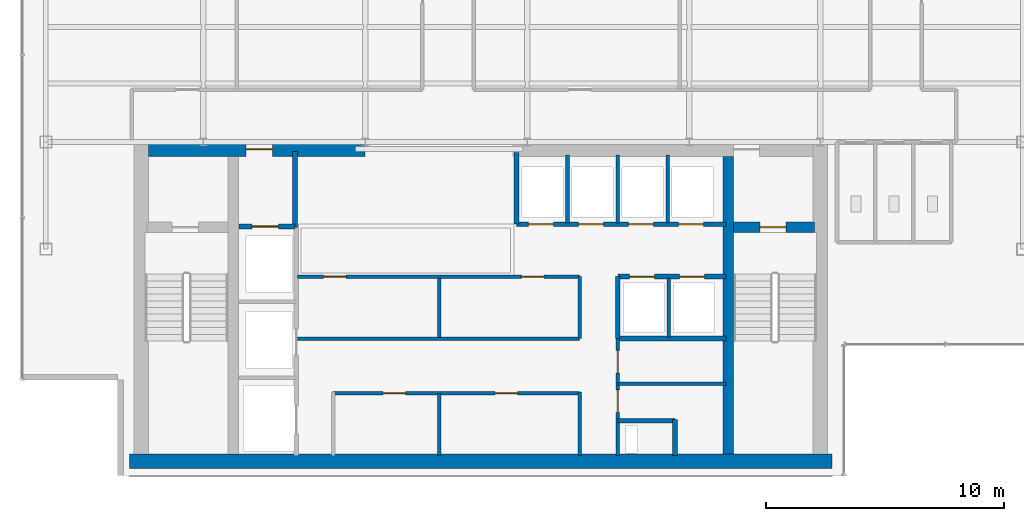
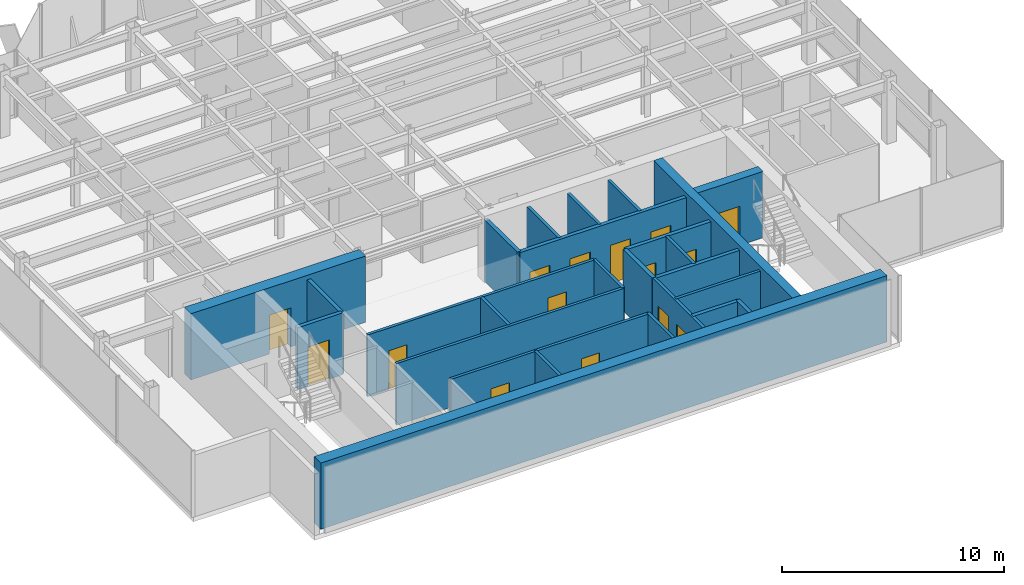
# One storey, part 17 of 22: 26 walls, 15 doors, 15 openings.
"""IFC4 building model written with IfcOpenShell, lengths in metres."""

from ifc_helpers import new_model, si_unit, derived_unit, direction, frame, frame_2d, origin, place, context, subcontext, project, spatial, rectangle, extrude, source, transform, mapped, material, layer, layer_set, type_object, element, fill, save


model = new_model("IFC4")

# Units and contexts
model_context = context("Model", 3, precision=1e-05, world=origin(), true_north=direction((0.0, 1.0)))
body_context = subcontext(model_context, "Body", "Model", "MODEL_VIEW")
ifc_project = project(units=[si_unit("LENGTHUNIT", "METRE"), si_unit("AREAUNIT", "SQUARE_METRE"), si_unit("VOLUMEUNIT", "CUBIC_METRE"), si_unit("PLANEANGLEUNIT", "RADIAN"), si_unit("MASSUNIT", "GRAM", prefix="KILO"), derived_unit("THERMALTRANSMITTANCEUNIT", [(si_unit("POWERUNIT", "WATT"), 1), (si_unit("LENGTHUNIT", "METRE"), -2), (si_unit("THERMODYNAMICTEMPERATUREUNIT", "KELVIN"), -1)])], contexts=[model_context])

# Site, building, storey
site_placement = place(None, origin())
site = spatial("IfcSite", under=ifc_project, at=site_placement, CompositionType="ELEMENT")
building_placement = place(site_placement, origin())
building = spatial("IfcBuilding", under=site, at=building_placement, Name="Skarnbrae Concourse Arena and Tower", CompositionType="ELEMENT")
storey_placement = place(building_placement, frame((0.0, 0.0, 280.699951171875)))
storey = spatial("IfcBuildingStorey", under=building, at=storey_placement, Name="L73", CompositionType="ELEMENT", Elevation=280.699951171875)

# Wall, opening, door
ifc_material_1 = material(Name="Concrete 50 MPa (C50/60)", Category="concrete")
ifc_layer_1 = layer(ifc_material_1, 0.449951171875)
ifc_layer_set_1 = layer_set([ifc_layer_1], Name="Concrete 50 MPa (C50/60)")
wall_type_1 = type_object("IfcWallType", Name="WALL-CORE-450-C50", PredefinedType="SHEAR", material=ifc_layer_set_1)
shared_shape_1 = source(origin(), body_context, "Body", "SweptSolid", [
    extrude(rectangle(XDim=3.389892578125, YDim=0.449951171875, at=frame_2d((1.69482421875, 0.0))), origin(), (0.0, 0.0, 1.0), 3.650146484375),
])
wall_1_placement = place(storey_placement, frame((29.860107421875, 10.419921875, 0.0), z_axis=(0.0, 0.0, 1.0), x_axis=(1.0, 0.0, 0.0)))
wall_1 = element("IfcWall", 1, at=wall_1_placement, inside=storey, type_object=wall_type_1, Name="L73 Rear core shear wall CW-ST2-N", PredefinedType="SHEAR", context=body_context, shape_type="MappedRepresentation", body=[
    mapped(shared_shape_1, transform((0.0, 0.0, 0.0))),
])
opening_1_placement = place(wall_1_placement, frame((1.10009765625, 0.0, 0.0)))
opening_1 = element("IfcOpeningElement", 2, at=opening_1_placement, cuts=wall_1, Name="Opening DT-03", PredefinedType="OPENING", context=body_context, shape_type="SweptSolid", body=[
    extrude(rectangle(XDim=1.10009765625, YDim=2.14990234375, at=frame_2d((0.550048828125, 1.074951171875))), frame((0.0, 0.23486328125, 0.0), z_axis=(0.0, -1.0, 0.0), x_axis=(1.0, 0.0, 0.0)), (0.0, 0.0, 1.0), 0.469970703125),
])
ifc_material_2 = material(Name="Steel CSA G40.21 350W", Category="steel")
door_type_1 = type_object("IfcDoorType", Name="DOOR-FIRE-1100-90M", OperationType="NOTDEFINED", PredefinedType="DOOR", material=ifc_material_2)
shared_shape_2 = source(origin(), body_context, "Body", "SweptSolid", [
    extrude(rectangle(XDim=1.10009765625, YDim=2.14990234375, at=frame_2d((0.550048828125, 1.074951171875))), frame((0.0, 0.02490234375, 0.0), z_axis=(0.0, -1.0, 0.0), x_axis=(1.0, 0.0, 0.0)), (0.0, 0.0, 1.0), 0.050048828125),
])
door_1_placement = place(opening_1_placement, frame((1.10009765625, 0.0, 0.0), z_axis=(0.0, 0.0, 1.0), x_axis=(-1.0, 0.0, 0.0)))
door_1 = element("IfcDoor", 3, at=door_1_placement, inside=storey, type_object=door_type_1, Name="D-2203 Stair ST-2 Door", OperationType="SINGLE_SWING_RIGHT", OverallHeight=2.14990234375, OverallWidth=1.10009765625, PredefinedType="DOOR", context=body_context, shape_type="MappedRepresentation", body=[
    mapped(shared_shape_2, transform((0.0, 0.0, 0.0))),
])
fill(opening_1, door_1)

# Wall
ifc_layer_2 = layer(ifc_material_1, 0.60009765625)
ifc_layer_set_2 = layer_set([ifc_layer_2], Name="Concrete 50 MPa (C50/60)")
wall_type_2 = type_object("IfcWallType", Name="WALL-CORE-600-C50", PredefinedType="SHEAR", material=ifc_layer_set_2)
shared_shape_3 = source(origin(), body_context, "Body", "SweptSolid", [
    extrude(rectangle(XDim=29.5, YDim=0.60009765625, at=frame_2d((14.75, 0.0))), origin(), (0.0, 0.0, 1.0), 3.650146484375),
])
wall_2_placement = place(storey_placement, frame((4.5, 0.60009765625, 0.0), z_axis=(0.0, 0.0, 1.0), x_axis=(1.0, 0.0, 0.0)))
element("IfcWall", 4, at=wall_2_placement, inside=storey, type_object=wall_type_2, Name="L73 Rear core shear wall CW-S", PredefinedType="SHEAR", context=body_context, shape_type="MappedRepresentation", body=[
    mapped(shared_shape_3, transform((0.0, 0.0, 0.0))),
])

# Wall, opening, door
shared_shape_4 = source(origin(), body_context, "Body", "SweptSolid", [
    extrude(rectangle(XDim=9.099853515625, YDim=0.60009765625, at=frame_2d((4.5498046875, 0.0))), origin(), (0.0, 0.0, 1.0), 3.650146484375),
])
wall_3_placement = place(storey_placement, frame((5.300048828125, 13.699951171875, 0.0), z_axis=(0.0, 0.0, 1.0), x_axis=(1.0, 0.0, 0.0)))
wall_3 = element("IfcWall", 5, at=wall_3_placement, inside=storey, type_object=wall_type_2, Name="L73 Rear core shear wall CW-NW", PredefinedType="SHEAR", context=body_context, shape_type="MappedRepresentation", body=[
    mapped(shared_shape_4, transform((0.0, 0.0, 0.0))),
])
opening_2_placement = place(wall_3_placement, frame((4.10009765625, 0.0, 0.0)))
opening_2 = element("IfcOpeningElement", 6, at=opening_2_placement, cuts=wall_3, Name="Opening DT-03", PredefinedType="OPENING", context=body_context, shape_type="SweptSolid", body=[
    extrude(rectangle(XDim=1.10009765625, YDim=2.14990234375, at=frame_2d((0.550048828125, 1.074951171875))), frame((0.0, 0.31005859375, 0.0), z_axis=(0.0, -1.0, 0.0), x_axis=(1.0, 0.0, 0.0)), (0.0, 0.0, 1.0), 0.6201171875),
])
door_2_placement = place(opening_2_placement, origin())
door_2 = element("IfcDoor", 7, at=door_2_placement, inside=storey, type_object=door_type_1, Name="D-2204 Firefighting Lobby Exit Door", OperationType="SINGLE_SWING_RIGHT", OverallHeight=2.14990234375, OverallWidth=1.10009765625, PredefinedType="DOOR", context=body_context, shape_type="MappedRepresentation", body=[
    mapped(shared_shape_2, transform((0.0, 0.0, 0.0))),
])
fill(opening_2, door_2)

# Walls
shared_shape_5 = source(origin(), body_context, "Body", "SweptSolid", [
    extrude(rectangle(XDim=12.5, YDim=0.449951171875, at=frame_2d((6.25, 0.0))), origin(), (0.0, 0.0, 1.0), 3.650146484375),
])
wall_4_placement = place(storey_placement, frame((29.635009765625, 0.89990234375, 0.0), z_axis=(0.0, 0.0, 1.0), x_axis=(0.0, 1.0, 0.0)))
element("IfcWall", 8, at=wall_4_placement, inside=storey, type_object=wall_type_1, Name="L73 Rear core shear wall CW-WEB-E", PredefinedType="SHEAR", context=body_context, shape_type="MappedRepresentation", body=[
    mapped(shared_shape_5, transform((0.0, 0.0, 0.0))),
])
ifc_material_3 = material(Name="Gypsum board on cold-formed steel studs", Category="steel")
ifc_layer_3 = layer(ifc_material_3, 0.199951171875)
ifc_layer_set_3 = layer_set([ifc_layer_3], Name="Gypsum board on cold-formed steel studs")
wall_type_3 = type_object("IfcWallType", Name="WALL-PART-200-2HR", PredefinedType="PARTITIONING", material=ifc_layer_set_3)
shared_shape_6 = source(origin(), body_context, "Body", "SweptSolid", [
    extrude(rectangle(XDim=3.18017578125, YDim=0.199951171875, at=frame_2d((1.590087890625, 0.0))), origin(), (0.0, 0.0, 1.0), 3.400146484375),
])
wall_5_placement = place(storey_placement, frame((11.449951171875, 10.419921875, 0.0), z_axis=(0.0, 0.0, 1.0), x_axis=(0.0, 1.0, 0.0)))
element("IfcWall", 9, at=wall_5_placement, inside=storey, type_object=wall_type_3, Name="L73 Interior partition wall W-L73-FFL-E", PredefinedType="PARTITIONING", context=body_context, shape_type="MappedRepresentation", body=[
    mapped(shared_shape_6, transform((0.0, 0.0, 0.0))),
])

# Wall, opening, door
shared_shape_7 = source(origin(), body_context, "Body", "SweptSolid", [
    extrude(rectangle(XDim=2.349853515625, YDim=0.199951171875, at=frame_2d((1.1748046875, 0.0))), origin(), (0.0, 0.0, 1.0), 3.400146484375),
])
wall_6_placement = place(storey_placement, frame((9.10009765625, 10.449951171875, 0.0), z_axis=(0.0, 0.0, 1.0), x_axis=(1.0, 0.0, 0.0)))
wall_6 = element("IfcWall", 10, at=wall_6_placement, inside=storey, type_object=wall_type_3, Name="L73 Interior partition wall W-L73-FL1-N", PredefinedType="PARTITIONING", context=body_context, shape_type="MappedRepresentation", body=[
    mapped(shared_shape_7, transform((0.0, 0.0, 0.0))),
])
opening_3_placement = place(wall_6_placement, frame((0.550048828125, 0.0, 0.0)))
opening_3 = element("IfcOpeningElement", 11, at=opening_3_placement, cuts=wall_6, Name="Opening LD-01", PredefinedType="OPENING", context=body_context, shape_type="SweptSolid", body=[
    extrude(rectangle(XDim=1.10009765625, YDim=2.14990234375, at=frame_2d((0.550048828125, 1.074951171875))), frame((0.0, 0.10986328125, 0.0), z_axis=(0.0, -1.0, 0.0), x_axis=(1.0, 0.0, 0.0)), (0.0, 0.0, 1.0), 0.219970703125),
])
door_type_2 = type_object("IfcDoorType", Name="DOOR-LIFT-SLIDE-1100", OperationType="SLIDING_TO_LEFT", PredefinedType="DOOR", material=ifc_material_2)
door_3_placement = place(opening_3_placement, origin())
door_3 = element("IfcDoor", 12, at=door_3_placement, inside=storey, type_object=door_type_2, Name="D-2206 Firefighting Lift Landing Door FL-01", OperationType="SLIDING_TO_LEFT", OverallHeight=2.14990234375, OverallWidth=1.10009765625, PredefinedType="DOOR", context=body_context, shape_type="MappedRepresentation", body=[
    mapped(shared_shape_2, transform((0.0, 0.0, 0.0))),
])
fill(opening_3, door_3)

# Walls
ifc_layer_4 = layer(ifc_material_3, 0.14990234375)
ifc_layer_set_4 = layer_set([ifc_layer_4], Name="Gypsum board on cold-formed steel studs")
wall_type_4 = type_object("IfcWallType", Name="WALL-PART-150", PredefinedType="PARTITIONING", material=ifc_layer_set_4)
shared_shape_8 = source(origin(), body_context, "Body", "SweptSolid", [
    extrude(rectangle(XDim=2.599853515625, YDim=0.14990234375, at=frame_2d((1.2998046875, 0.0))), origin(), (0.0, 0.0, 1.0), 3.400146484375),
])
wall_7_placement = place(storey_placement, frame((17.5, 0.85009765625, 0.0), z_axis=(0.0, 0.0, 1.0), x_axis=(0.0, 1.0, 0.0)))
element("IfcWall", 13, at=wall_7_placement, inside=storey, type_object=wall_type_4, Name="L73 Interior partition wall W-L73-B1M-C1", PredefinedType="PARTITIONING", context=body_context, shape_type="MappedRepresentation", body=[
    mapped(shared_shape_8, transform((0.0, 0.0, 0.0))),
])
shared_shape_9 = source(origin(), body_context, "Body", "SweptSolid", [
    extrude(rectangle(XDim=2.60009765625, YDim=0.199951171875, at=frame_2d((1.300048828125, 0.0))), origin(), (0.0, 0.0, 1.0), 3.400146484375),
])
wall_8_placement = place(storey_placement, frame((25.0, 5.75, 0.0), z_axis=(0.0, 0.0, 1.0), x_axis=(0.0, 1.0, 0.0)))
element("IfcWall", 14, at=wall_8_placement, inside=storey, type_object=wall_type_3, Name="L73 Interior partition wall W-L73-B3S-W", PredefinedType="PARTITIONING", context=body_context, shape_type="MappedRepresentation", body=[
    mapped(shared_shape_9, transform((0.0, 0.0, 0.0))),
])
shared_shape_10 = source(origin(), body_context, "Body", "SweptSolid", [
    extrude(rectangle(XDim=2.5, YDim=0.14990234375, at=frame_2d((1.25, 0.0))), origin(), (0.0, 0.0, 1.0), 3.400146484375),
])
for number, where, z_axis, x_axis, name in (
    (15, (17.5, 5.800048828125, 0.0), (0.0, 0.0, 1.0), (0.0, 1.0, 0.0), "L73 Interior partition wall W-L73-B2M-MID"),
    (16, (27.139892578125, 5.800048828125, 0.0), (0.0, 0.0, 1.0), (0.0, 1.0, 0.0), "L73 Interior partition wall W-L73-B3S-P1"),
):
    element("IfcWall", number, at=place(storey_placement, frame(where, z_axis=z_axis, x_axis=x_axis)), inside=storey, type_object=wall_type_4, Name=name, PredefinedType="PARTITIONING", context=body_context, shape_type="MappedRepresentation", body=[
        mapped(shared_shape_10, transform((0.0, 0.0, 0.0))),
    ])

# Wall, openings, doors
shared_shape_11 = source(origin(), body_context, "Body", "SweptSolid", [
    extrude(rectangle(XDim=8.800048828125, YDim=0.199951171875, at=frame_2d((4.39990234375, 0.0))), origin(), (0.0, 0.0, 1.0), 3.400146484375),
])
wall_9_placement = place(storey_placement, frame((20.75, 10.550048828125, 0.0), z_axis=(0.0, 0.0, 1.0), x_axis=(1.0, 0.0, 0.0)))
wall_9 = element("IfcWall", 17, at=wall_9_placement, inside=storey, type_object=wall_type_3, Name="L73 Interior partition wall W-L73-B3N-S", PredefinedType="PARTITIONING", context=body_context, shape_type="MappedRepresentation", body=[
    mapped(shared_shape_11, transform((0.0, 0.0, 0.0))),
])
opening_4_placement = place(wall_9_placement, frame((0.5, 0.0, 0.0)))
opening_4 = element("IfcOpeningElement", 18, at=opening_4_placement, cuts=wall_9, Name="Opening LD-04", PredefinedType="OPENING", context=body_context, shape_type="SweptSolid", body=[
    extrude(rectangle(XDim=1.050048828125, YDim=2.14990234375, at=frame_2d((0.52490234375, 1.074951171875))), frame((0.0, 0.10986328125, 0.0), z_axis=(0.0, -1.0, 0.0), x_axis=(1.0, 0.0, 0.0)), (0.0, 0.0, 1.0), 0.219970703125),
])
opening_5_placement = place(wall_9_placement, frame((2.60009765625, 0.0, 0.0)))
opening_5 = element("IfcOpeningElement", 19, at=opening_5_placement, cuts=wall_9, Name="Opening LD-04", PredefinedType="OPENING", context=body_context, shape_type="SweptSolid", body=[
    extrude(rectangle(XDim=1.050048828125, YDim=2.14990234375, at=frame_2d((0.52490234375, 1.074951171875))), frame((0.0, 0.10986328125, 0.0), z_axis=(0.0, -1.0, 0.0), x_axis=(1.0, 0.0, 0.0)), (0.0, 0.0, 1.0), 0.219970703125),
])
opening_6_placement = place(wall_9_placement, frame((4.699951171875, 0.0, 0.0)))
opening_6 = element("IfcOpeningElement", 20, at=opening_6_placement, cuts=wall_9, Name="Opening LD-04", PredefinedType="OPENING", context=body_context, shape_type="SweptSolid", body=[
    extrude(rectangle(XDim=1.050048828125, YDim=2.14990234375, at=frame_2d((0.52490234375, 1.074951171875))), frame((0.0, 0.10986328125, 0.0), z_axis=(0.0, -1.0, 0.0), x_axis=(1.0, 0.0, 0.0)), (0.0, 0.0, 1.0), 0.219970703125),
])
opening_7_placement = place(wall_9_placement, frame((6.800048828125, 0.0, 0.0)))
opening_7 = element("IfcOpeningElement", 21, at=opening_7_placement, cuts=wall_9, Name="Opening LD-04", PredefinedType="OPENING", context=body_context, shape_type="SweptSolid", body=[
    extrude(rectangle(XDim=1.050048828125, YDim=2.14990234375, at=frame_2d((0.52490234375, 1.074951171875))), frame((0.0, 0.10986328125, 0.0), z_axis=(0.0, -1.0, 0.0), x_axis=(1.0, 0.0, 0.0)), (0.0, 0.0, 1.0), 0.219970703125),
])
ifc_material_4 = material(Name="Bronze anodised aluminium 6063-T6", Category="aluminium")
door_type_3 = type_object("IfcDoorType", Name="DOOR-LIFT-SLIDE-1050H", OperationType="SLIDING_TO_LEFT", PredefinedType="DOOR", material=ifc_material_4)
shared_shape_12 = source(origin(), body_context, "Body", "SweptSolid", [
    extrude(rectangle(XDim=1.050048828125, YDim=2.14990234375, at=frame_2d((0.52490234375, 1.074951171875))), frame((0.0, 0.02490234375, 0.0), z_axis=(0.0, -1.0, 0.0), x_axis=(1.0, 0.0, 0.0)), (0.0, 0.0, 1.0), 0.050048828125),
])
door_4_placement = place(opening_4_placement, frame((1.050048828125, 0.0, 0.0), z_axis=(0.0, 0.0, 1.0), x_axis=(-1.0, 0.0, 0.0)))
door_4 = element("IfcDoor", 22, at=door_4_placement, inside=storey, type_object=door_type_3, Name="D-2213 Passenger Lift Landing Door PL-3A", OperationType="SLIDING_TO_LEFT", OverallHeight=2.14990234375, OverallWidth=1.050048828125, PredefinedType="DOOR", context=body_context, shape_type="MappedRepresentation", body=[
    mapped(shared_shape_12, transform((0.0, 0.0, 0.0))),
])
fill(opening_4, door_4)
door_5_placement = place(opening_5_placement, frame((1.050048828125, 0.0, 0.0), z_axis=(0.0, 0.0, 1.0), x_axis=(-1.0, 0.0, 0.0)))
door_5 = element("IfcDoor", 23, at=door_5_placement, inside=storey, type_object=door_type_3, Name="D-2214 Passenger Lift Landing Door PL-3B", OperationType="SLIDING_TO_LEFT", OverallHeight=2.14990234375, OverallWidth=1.050048828125, PredefinedType="DOOR", context=body_context, shape_type="MappedRepresentation", body=[
    mapped(shared_shape_12, transform((0.0, 0.0, 0.0))),
])
fill(opening_5, door_5)
door_6_placement = place(opening_6_placement, frame((1.050048828125, 0.0, 0.0), z_axis=(0.0, 0.0, 1.0), x_axis=(-1.0, 0.0, 0.0)))
door_6 = element("IfcDoor", 24, at=door_6_placement, inside=storey, type_object=door_type_3, Name="D-2215 Passenger Lift Landing Door PL-3C", OperationType="SLIDING_TO_LEFT", OverallHeight=2.14990234375, OverallWidth=1.050048828125, PredefinedType="DOOR", context=body_context, shape_type="MappedRepresentation", body=[
    mapped(shared_shape_12, transform((0.0, 0.0, 0.0))),
])
fill(opening_6, door_6)
door_7_placement = place(opening_7_placement, frame((1.050048828125, 0.0, 0.0), z_axis=(0.0, 0.0, 1.0), x_axis=(-1.0, 0.0, 0.0)))
door_7 = element("IfcDoor", 25, at=door_7_placement, inside=storey, type_object=door_type_3, Name="D-2216 Passenger Lift Landing Door PL-3D", OperationType="SLIDING_TO_LEFT", OverallHeight=2.14990234375, OverallWidth=1.050048828125, PredefinedType="DOOR", context=body_context, shape_type="MappedRepresentation", body=[
    mapped(shared_shape_12, transform((0.0, 0.0, 0.0))),
])
fill(opening_7, door_7)

# Walls
shared_shape_13 = source(origin(), body_context, "Body", "SweptSolid", [
    extrude(rectangle(XDim=3.0, YDim=0.199951171875, at=frame_2d((1.5, 0.0))), origin(), (0.0, 0.0, 1.0), 3.400146484375),
])
wall_10_placement = place(storey_placement, frame((20.75, 10.550048828125, 0.0), z_axis=(0.0, 0.0, 1.0), x_axis=(0.0, 1.0, 0.0)))
element("IfcWall", 26, at=wall_10_placement, inside=storey, type_object=wall_type_3, Name="L73 Interior partition wall W-L73-B3N-W", PredefinedType="PARTITIONING", context=body_context, shape_type="MappedRepresentation", body=[
    mapped(shared_shape_13, transform((0.0, 0.0, 0.0))),
])
shared_shape_14 = source(origin(), body_context, "Body", "SweptSolid", [
    extrude(rectangle(XDim=2.849853515625, YDim=0.14990234375, at=frame_2d((1.4248046875, 0.0))), origin(), (0.0, 0.0, 1.0), 3.400146484375),
])
for number, where, z_axis, x_axis, name in (
    (27, (22.889892578125, 10.60009765625, 0.0), (0.0, 0.0, 1.0), (0.0, 1.0, 0.0), "L73 Interior partition wall W-L73-B3N-P1"),
    (28, (24.989990234375, 10.60009765625, 0.0), (0.0, 0.0, 1.0), (0.0, 1.0, 0.0), "L73 Interior partition wall W-L73-B3N-P2"),
    (29, (27.090087890625, 10.60009765625, 0.0), (0.0, 0.0, 1.0), (0.0, 1.0, 0.0), "L73 Interior partition wall W-L73-B3N-P3"),
):
    element("IfcWall", number, at=place(storey_placement, frame(where, z_axis=z_axis, x_axis=x_axis)), inside=storey, type_object=wall_type_4, Name=name, PredefinedType="PARTITIONING", context=body_context, shape_type="MappedRepresentation", body=[
        mapped(shared_shape_14, transform((0.0, 0.0, 0.0))),
    ])

# Wall, openings, doors
shared_shape_15 = source(origin(), body_context, "Body", "SweptSolid", [
    extrude(rectangle(XDim=4.550048828125, YDim=0.199951171875, at=frame_2d((2.27490234375, 0.0))), origin(), (0.0, 0.0, 1.0), 3.400146484375),
])
wall_11_placement = place(storey_placement, frame((25.0, 8.35009765625, 0.0), z_axis=(0.0, 0.0, 1.0), x_axis=(1.0, 0.0, 0.0)))
wall_11 = element("IfcWall", 30, at=wall_11_placement, inside=storey, type_object=wall_type_3, Name="L73 Interior partition wall W-L73-B3S-N", PredefinedType="PARTITIONING", context=body_context, shape_type="MappedRepresentation", body=[
    mapped(shared_shape_15, transform((0.0, 0.0, 0.0))),
])
opening_8_placement = place(wall_11_placement, frame((0.5, 0.0, 0.0)))
opening_8 = element("IfcOpeningElement", 31, at=opening_8_placement, cuts=wall_11, Name="Opening LD-04", PredefinedType="OPENING", context=body_context, shape_type="SweptSolid", body=[
    extrude(rectangle(XDim=1.050048828125, YDim=2.14990234375, at=frame_2d((0.52490234375, 1.074951171875))), frame((0.0, 0.10986328125, 0.0), z_axis=(0.0, -1.0, 0.0), x_axis=(1.0, 0.0, 0.0)), (0.0, 0.0, 1.0), 0.219970703125),
])
opening_9_placement = place(wall_11_placement, frame((2.60009765625, 0.0, 0.0)))
opening_9 = element("IfcOpeningElement", 32, at=opening_9_placement, cuts=wall_11, Name="Opening LD-04", PredefinedType="OPENING", context=body_context, shape_type="SweptSolid", body=[
    extrude(rectangle(XDim=1.050048828125, YDim=2.14990234375, at=frame_2d((0.52490234375, 1.074951171875))), frame((0.0, 0.10986328125, 0.0), z_axis=(0.0, -1.0, 0.0), x_axis=(1.0, 0.0, 0.0)), (0.0, 0.0, 1.0), 0.219970703125),
])
door_8_placement = place(opening_8_placement, origin())
door_8 = element("IfcDoor", 33, at=door_8_placement, inside=storey, type_object=door_type_3, Name="D-2217 Passenger Lift Landing Door PL-3E", OperationType="SLIDING_TO_LEFT", OverallHeight=2.14990234375, OverallWidth=1.050048828125, PredefinedType="DOOR", context=body_context, shape_type="MappedRepresentation", body=[
    mapped(shared_shape_12, transform((0.0, 0.0, 0.0))),
])
fill(opening_8, door_8)
door_9_placement = place(opening_9_placement, origin())
door_9 = element("IfcDoor", 34, at=door_9_placement, inside=storey, type_object=door_type_3, Name="D-2218 Passenger Lift Landing Door PL-3F", OperationType="SLIDING_TO_LEFT", OverallHeight=2.14990234375, OverallWidth=1.050048828125, PredefinedType="DOOR", context=body_context, shape_type="MappedRepresentation", body=[
    mapped(shared_shape_12, transform((0.0, 0.0, 0.0))),
])
fill(opening_9, door_9)

# Wall
wall_12_placement = place(storey_placement, frame((25.0, 5.75, 0.0), z_axis=(0.0, 0.0, 1.0), x_axis=(1.0, 0.0, 0.0)))
element("IfcWall", 35, at=wall_12_placement, inside=storey, type_object=wall_type_3, Name="L73 Interior partition wall W-L73-B3S-S", PredefinedType="PARTITIONING", context=body_context, shape_type="MappedRepresentation", body=[
    mapped(shared_shape_15, transform((0.0, 0.0, 0.0))),
])

# Wall, openings, doors
ifc_layer_5 = layer(ifc_material_3, 0.14990234375)
ifc_layer_set_5 = layer_set([ifc_layer_5], Name="Gypsum board on cold-formed steel studs")
wall_type_5 = type_object("IfcWallType", Name="WALL-PART-150-1HR", PredefinedType="PARTITIONING", material=ifc_layer_set_5)
shared_shape_16 = source(origin(), body_context, "Body", "SweptSolid", [
    extrude(rectangle(XDim=4.89990234375, YDim=0.14990234375, at=frame_2d((2.449951171875, 0.0))), origin(), (0.0, 0.0, 1.0), 3.400146484375),
])
wall_13_placement = place(storey_placement, frame((25.0, 0.85009765625, 0.0), z_axis=(0.0, 0.0, 1.0), x_axis=(0.0, 1.0, 0.0)))
wall_13 = element("IfcWall", 36, at=wall_13_placement, inside=storey, type_object=wall_type_5, Name="L73 Interior partition wall W-L73-CSV-W", PredefinedType="PARTITIONING", context=body_context, shape_type="MappedRepresentation", body=[
    mapped(shared_shape_16, transform((0.0, 0.0, 0.0))),
])
opening_10_placement = place(wall_13_placement, frame((1.800048828125, 0.0, 0.0)))
opening_10 = element("IfcOpeningElement", 37, at=opening_10_placement, cuts=wall_13, Name="Opening DT-04", PredefinedType="OPENING", context=body_context, shape_type="SweptSolid", body=[
    extrude(rectangle(XDim=0.949951171875, YDim=2.14990234375, at=frame_2d((0.47509765625, 1.074951171875))), frame((0.0, 0.0849609375, 0.0), z_axis=(0.0, -1.0, 0.0), x_axis=(1.0, 0.0, 0.0)), (0.0, 0.0, 1.0), 0.169921875),
])
opening_11_placement = place(wall_13_placement, frame((3.449951171875, 0.0, 0.0)))
opening_11 = element("IfcOpeningElement", 38, at=opening_11_placement, cuts=wall_13, Name="Opening DT-04", PredefinedType="OPENING", context=body_context, shape_type="SweptSolid", body=[
    extrude(rectangle(XDim=0.949951171875, YDim=2.14990234375, at=frame_2d((0.47509765625, 1.074951171875))), frame((0.0, 0.0849609375, 0.0), z_axis=(0.0, -1.0, 0.0), x_axis=(1.0, 0.0, 0.0)), (0.0, 0.0, 1.0), 0.169921875),
])
door_type_4 = type_object("IfcDoorType", Name="DOOR-INT-950-45M", OperationType="NOTDEFINED", PredefinedType="DOOR", material=ifc_material_2)
shared_shape_17 = source(origin(), body_context, "Body", "SweptSolid", [
    extrude(rectangle(XDim=0.949951171875, YDim=2.14990234375, at=frame_2d((0.47509765625, 1.074951171875))), frame((0.0, 0.02490234375, 0.0), z_axis=(0.0, -1.0, 0.0), x_axis=(1.0, 0.0, 0.0)), (0.0, 0.0, 1.0), 0.050048828125),
])
door_10_placement = place(opening_10_placement, origin())
door_10 = element("IfcDoor", 39, at=door_10_placement, inside=storey, type_object=door_type_4, Name="D-2219 Electrical Switch Room Door", OperationType="SINGLE_SWING_LEFT", OverallHeight=2.14990234375, OverallWidth=0.949951171875, PredefinedType="DOOR", context=body_context, shape_type="MappedRepresentation", body=[
    mapped(shared_shape_17, transform((0.0, 0.0, 0.0))),
])
fill(opening_10, door_10)
door_11_placement = place(opening_11_placement, origin())
door_11 = element("IfcDoor", 40, at=door_11_placement, inside=storey, type_object=door_type_4, Name="D-2220 Cleaner Store Door", OperationType="SINGLE_SWING_RIGHT", OverallHeight=2.14990234375, OverallWidth=0.949951171875, PredefinedType="DOOR", context=body_context, shape_type="MappedRepresentation", body=[
    mapped(shared_shape_17, transform((0.0, 0.0, 0.0))),
])
fill(opening_11, door_11)

# Walls
shared_shape_18 = source(origin(), body_context, "Body", "SweptSolid", [
    extrude(rectangle(XDim=2.39990234375, YDim=0.199951171875, at=frame_2d((1.199951171875, 0.0))), origin(), (0.0, 0.0, 1.0), 3.400146484375),
])
wall_14_placement = place(storey_placement, frame((25.0, 2.300048828125, 0.0), z_axis=(0.0, 0.0, 1.0), x_axis=(1.0, 0.0, 0.0)))
element("IfcWall", 41, at=wall_14_placement, inside=storey, type_object=wall_type_3, Name="L73 Interior partition wall W-L73-MEP-N", PredefinedType="PARTITIONING", context=body_context, shape_type="MappedRepresentation", body=[
    mapped(shared_shape_18, transform((0.0, 0.0, 0.0))),
])
shared_shape_19 = source(origin(), body_context, "Body", "SweptSolid", [
    extrude(rectangle(XDim=1.5, YDim=0.199951171875, at=frame_2d((0.75, 0.0))), origin(), (0.0, 0.0, 1.0), 3.400146484375),
])
wall_15_placement = place(storey_placement, frame((27.39990234375, 0.85009765625, 0.0), z_axis=(0.0, 0.0, 1.0), x_axis=(0.0, 1.0, 0.0)))
element("IfcWall", 42, at=wall_15_placement, inside=storey, type_object=wall_type_3, Name="L73 Interior partition wall W-L73-MEP-E", PredefinedType="PARTITIONING", context=body_context, shape_type="MappedRepresentation", body=[
    mapped(shared_shape_19, transform((0.0, 0.0, 0.0))),
])
shared_shape_20 = source(origin(), body_context, "Body", "SweptSolid", [
    extrude(rectangle(XDim=4.550048828125, YDim=0.14990234375, at=frame_2d((2.27490234375, 0.0))), origin(), (0.0, 0.0, 1.0), 3.400146484375),
])
wall_16_placement = place(storey_placement, frame((25.0, 3.85009765625, 0.0), z_axis=(0.0, 0.0, 1.0), x_axis=(1.0, 0.0, 0.0)))
element("IfcWall", 43, at=wall_16_placement, inside=storey, type_object=wall_type_4, Name="L73 Interior partition wall W-L73-CSV-H", PredefinedType="PARTITIONING", context=body_context, shape_type="MappedRepresentation", body=[
    mapped(shared_shape_20, transform((0.0, 0.0, 0.0))),
])
shared_shape_21 = source(origin(), body_context, "Body", "SweptSolid", [
    extrude(rectangle(XDim=2.64990234375, YDim=0.14990234375, at=frame_2d((1.324951171875, 0.0))), origin(), (0.0, 0.0, 1.0), 3.400146484375),
])
wall_17_placement = place(storey_placement, frame((23.39990234375, 0.85009765625, 0.0), z_axis=(0.0, 0.0, 1.0), x_axis=(0.0, 1.0, 0.0)))
element("IfcWall", 44, at=wall_17_placement, inside=storey, type_object=wall_type_5, Name="L73 Interior partition wall W-L73-B1M-E", PredefinedType="PARTITIONING", context=body_context, shape_type="MappedRepresentation", body=[
    mapped(shared_shape_21, transform((0.0, 0.0, 0.0))),
])

# Wall, openings, doors
shared_shape_22 = source(origin(), body_context, "Body", "SweptSolid", [
    extrude(rectangle(XDim=10.349853515625, YDim=0.14990234375, at=frame_2d((5.1748046875, 0.0))), origin(), (0.0, 0.0, 1.0), 3.400146484375),
])
wall_18_placement = place(storey_placement, frame((13.050048828125, 3.449951171875, 0.0), z_axis=(0.0, 0.0, 1.0), x_axis=(1.0, 0.0, 0.0)))
wall_18 = element("IfcWall", 45, at=wall_18_placement, inside=storey, type_object=wall_type_5, Name="L73 Interior partition wall W-L73-B1M-N", PredefinedType="PARTITIONING", context=body_context, shape_type="MappedRepresentation", body=[
    mapped(shared_shape_22, transform((0.0, 0.0, 0.0))),
])
opening_12_placement = place(wall_18_placement, frame((2.10009765625, 0.0, 0.0)))
opening_12 = element("IfcOpeningElement", 46, at=opening_12_placement, cuts=wall_18, Name="Opening DT-04", PredefinedType="OPENING", context=body_context, shape_type="SweptSolid", body=[
    extrude(rectangle(XDim=0.949951171875, YDim=2.14990234375, at=frame_2d((0.47509765625, 1.074951171875))), frame((0.0, 0.0849609375, 0.0), z_axis=(0.0, -1.0, 0.0), x_axis=(1.0, 0.0, 0.0)), (0.0, 0.0, 1.0), 0.169921875),
])
opening_13_placement = place(wall_18_placement, frame((6.800048828125, 0.0, 0.0)))
opening_13 = element("IfcOpeningElement", 47, at=opening_13_placement, cuts=wall_18, Name="Opening DT-04", PredefinedType="OPENING", context=body_context, shape_type="SweptSolid", body=[
    extrude(rectangle(XDim=0.949951171875, YDim=2.14990234375, at=frame_2d((0.47509765625, 1.074951171875))), frame((0.0, 0.0849609375, 0.0), z_axis=(0.0, -1.0, 0.0), x_axis=(1.0, 0.0, 0.0)), (0.0, 0.0, 1.0), 0.169921875),
])
door_12_placement = place(opening_12_placement, origin())
door_12 = element("IfcDoor", 48, at=door_12_placement, inside=storey, type_object=door_type_4, Name="D-2209 Core IT Room Door", OperationType="SINGLE_SWING_LEFT", OverallHeight=2.14990234375, OverallWidth=0.949951171875, PredefinedType="DOOR", context=body_context, shape_type="MappedRepresentation", body=[
    mapped(shared_shape_17, transform((0.0, 0.0, 0.0))),
])
fill(opening_12, door_12)
door_13_placement = place(opening_13_placement, origin())
door_13 = element("IfcDoor", 49, at=door_13_placement, inside=storey, type_object=door_type_4, Name="D-2210 Core Records Store Door", OperationType="SINGLE_SWING_RIGHT", OverallHeight=2.14990234375, OverallWidth=0.949951171875, PredefinedType="DOOR", context=body_context, shape_type="MappedRepresentation", body=[
    mapped(shared_shape_17, transform((0.0, 0.0, 0.0))),
])
fill(opening_13, door_13)

# Wall
shared_shape_23 = source(origin(), body_context, "Body", "SweptSolid", [
    extrude(rectangle(XDim=11.849853515625, YDim=0.14990234375, at=frame_2d((5.9248046875, 0.0))), origin(), (0.0, 0.0, 1.0), 3.400146484375),
])
wall_19_placement = place(storey_placement, frame((11.550048828125, 5.75, 0.0), z_axis=(0.0, 0.0, 1.0), x_axis=(1.0, 0.0, 0.0)))
element("IfcWall", 50, at=wall_19_placement, inside=storey, type_object=wall_type_5, Name="L73 Interior partition wall W-L73-B2M-S", PredefinedType="PARTITIONING", context=body_context, shape_type="MappedRepresentation", body=[
    mapped(shared_shape_23, transform((0.0, 0.0, 0.0))),
])

# Wall, openings, doors
wall_20_placement = place(storey_placement, frame((11.550048828125, 8.35009765625, 0.0), z_axis=(0.0, 0.0, 1.0), x_axis=(1.0, 0.0, 0.0)))
wall_20 = element("IfcWall", 51, at=wall_20_placement, inside=storey, type_object=wall_type_5, Name="L73 Interior partition wall W-L73-B2M-N", PredefinedType="PARTITIONING", context=body_context, shape_type="MappedRepresentation", body=[
    mapped(shared_shape_23, transform((0.0, 0.0, 0.0))),
])
opening_14_placement = place(wall_20_placement, frame((1.10009765625, 0.0, 0.0)))
opening_14 = element("IfcOpeningElement", 52, at=opening_14_placement, cuts=wall_20, Name="Opening DT-04", PredefinedType="OPENING", context=body_context, shape_type="SweptSolid", body=[
    extrude(rectangle(XDim=0.949951171875, YDim=2.14990234375, at=frame_2d((0.47509765625, 1.074951171875))), frame((0.0, 0.0849609375, 0.0), z_axis=(0.0, -1.0, 0.0), x_axis=(1.0, 0.0, 0.0)), (0.0, 0.0, 1.0), 0.169921875),
])
opening_15_placement = place(wall_20_placement, frame((9.39990234375, 0.0, 0.0)))
opening_15 = element("IfcOpeningElement", 53, at=opening_15_placement, cuts=wall_20, Name="Opening DT-04", PredefinedType="OPENING", context=body_context, shape_type="SweptSolid", body=[
    extrude(rectangle(XDim=0.949951171875, YDim=2.14990234375, at=frame_2d((0.47509765625, 1.074951171875))), frame((0.0, 0.0849609375, 0.0), z_axis=(0.0, -1.0, 0.0), x_axis=(1.0, 0.0, 0.0)), (0.0, 0.0, 1.0), 0.169921875),
])
door_14_placement = place(opening_14_placement, origin())
door_14 = element("IfcDoor", 54, at=door_14_placement, inside=storey, type_object=door_type_4, Name="D-2211 High-Zone Data Door", OperationType="SINGLE_SWING_RIGHT", OverallHeight=2.14990234375, OverallWidth=0.949951171875, PredefinedType="DOOR", context=body_context, shape_type="MappedRepresentation", body=[
    mapped(shared_shape_17, transform((0.0, 0.0, 0.0))),
])
fill(opening_14, door_14)
door_15_placement = place(opening_15_placement, origin())
door_15 = element("IfcDoor", 55, at=door_15_placement, inside=storey, type_object=door_type_4, Name="D-2212 Reprographics Door", OperationType="SINGLE_SWING_LEFT", OverallHeight=2.14990234375, OverallWidth=0.949951171875, PredefinedType="DOOR", context=body_context, shape_type="MappedRepresentation", body=[
    mapped(shared_shape_17, transform((0.0, 0.0, 0.0))),
])
fill(opening_15, door_15)

# Wall
shared_shape_24 = source(origin(), body_context, "Body", "SweptSolid", [
    extrude(rectangle(XDim=2.60009765625, YDim=0.14990234375, at=frame_2d((1.300048828125, 0.0))), origin(), (0.0, 0.0, 1.0), 3.400146484375),
])
wall_21_placement = place(storey_placement, frame((23.39990234375, 5.75, 0.0), z_axis=(0.0, 0.0, 1.0), x_axis=(0.0, 1.0, 0.0)))
element("IfcWall", 56, at=wall_21_placement, inside=storey, type_object=wall_type_5, Name="L73 Interior partition wall W-L73-B2M-E", PredefinedType="PARTITIONING", context=body_context, shape_type="MappedRepresentation", body=[
    mapped(shared_shape_24, transform((0.0, 0.0, 0.0))),
])

save(model, "model.ifc")
